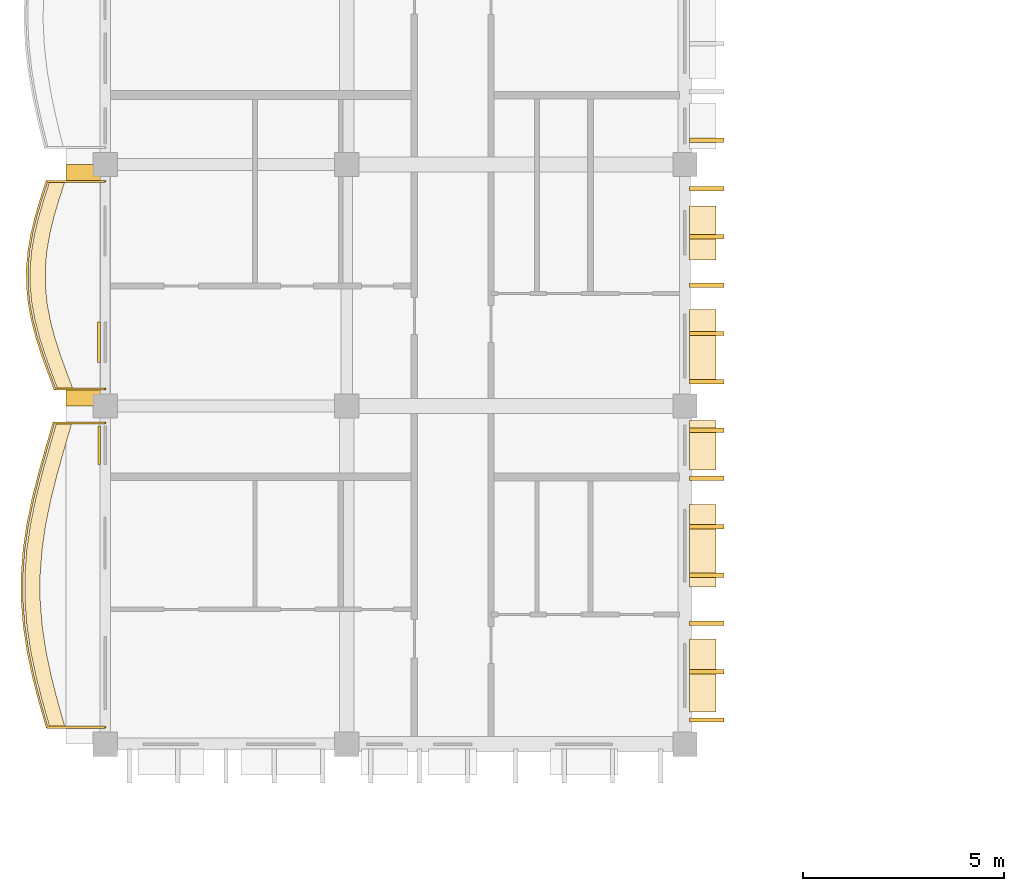
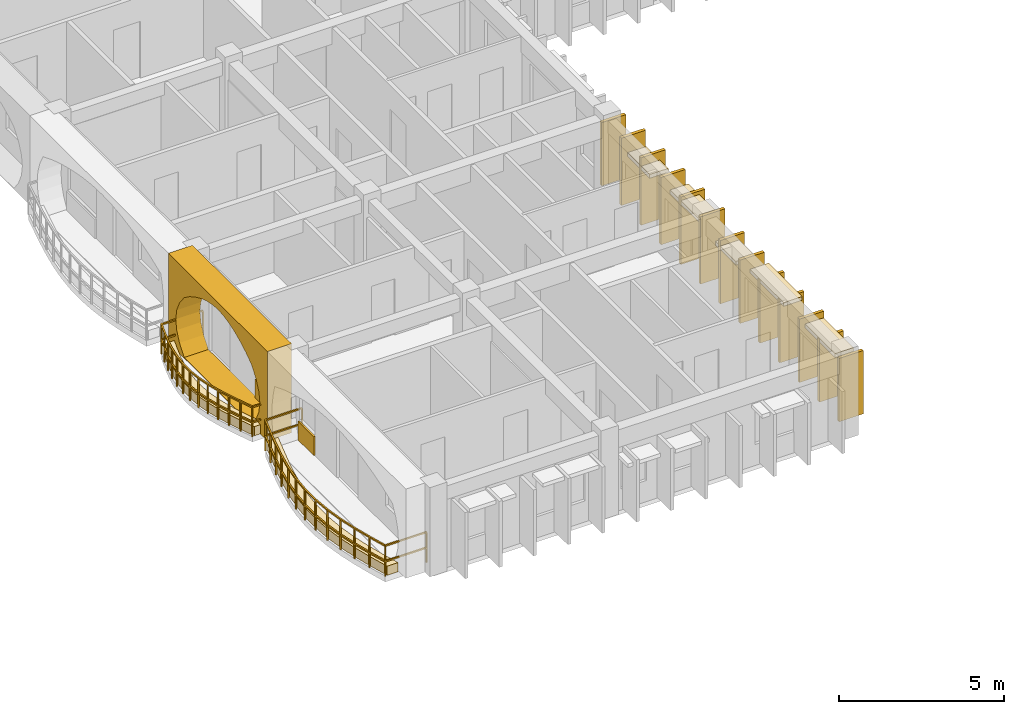
# One storey, part 34 of 45: 23 coverings, 2 railings.
"""IFC4 building model written with IfcOpenShell, lengths in metres."""

from ifc_helpers import new_model, si_unit, direction, frame, origin, origin_2d, place, context, subcontext, project, spatial, polyline, rectangle, outline, extrude, material, layer, layer_set, type_object, element, save


model = new_model("IFC4")

# Units and contexts
model_context = context("Model", 3, precision=1e-05, world=origin(), true_north=direction((0.0, 1.0)))
body_context = subcontext(model_context, "Body", "Model", "MODEL_VIEW")
ifc_project = project(units=[si_unit("LENGTHUNIT", "METRE"), si_unit("AREAUNIT", "SQUARE_METRE"), si_unit("VOLUMEUNIT", "CUBIC_METRE"), si_unit("PLANEANGLEUNIT", "RADIAN"), si_unit("MASSUNIT", "GRAM", prefix="KILO"), si_unit("THERMODYNAMICTEMPERATUREUNIT", "KELVIN")], contexts=[model_context])

# Site, building, storey
site_placement = place(None, origin())
site = spatial("IfcSite", under=ifc_project, at=site_placement, CompositionType="ELEMENT")
building_placement = place(site_placement, origin())
building = spatial("IfcBuilding", under=site, at=building_placement, Name="Thalorik Housing Commons", CompositionType="ELEMENT")
storey_placement = place(building_placement, frame((0.0, 0.0, 34.5)))
storey = spatial("IfcBuildingStorey", under=building, at=storey_placement, Name="L10", CompositionType="ELEMENT", Elevation=34.5)

# Coverings
ifc_material_1 = material(Name="Precast concrete C40/50", Category="concrete")
ifc_layer_1 = layer(ifc_material_1, 0.85009765625, Name="Precast concrete C40/50", Category="concrete")
ifc_layer_set_1 = layer_set([ifc_layer_1], Name="Precast concrete C40/50")
covering_type_1 = type_object("IfcCoveringType", Name="ARC-CLD-CUSH-850", PredefinedType="CLADDING", material=ifc_layer_set_1)
covering_1_placement = place(storey_placement, frame((7.857421875, 97.800048828125, 0.0), z_axis=(0.0, 0.0, 1.0), x_axis=(0.0, -1.0, 0.0)))
element("IfcCovering", 1, at=covering_1_placement, inside=storey, type_object=covering_type_1, Name="L10 White Precast Curved Cushion Bay Frame 1060", PredefinedType="CLADDING", context=body_context, shape_type="SweptSolid", body=[
    extrude(outline(polyline([(-3.0, 0.0), (3.0, 0.0), (3.0, 3.300048828125), (-3.0, 3.300048828125), (-3.0, 0.0)]), holes=[polyline([(2.0400390625, 0.02490234375), (2.3232421875, 0.394287109375), (2.493408203125, 0.76318359375), (2.550048828125, 1.132568359375), (2.493408203125, 1.501708984375), (2.3232421875, 1.870849609375), (2.0400390625, 2.239990234375), (1.699951171875, 2.4833984375), (1.360107421875, 2.6748046875), (1.02001953125, 2.82958984375), (0.679931640625, 2.94482421875), (0.340087890625, 3.01611328125), (0.0, 3.0400390625), (-0.340087890625, 3.01611328125), (-0.679931640625, 2.94482421875), (-1.02001953125, 2.82958984375), (-1.360107421875, 2.6748046875), (-1.699951171875, 2.4833984375), (-2.0400390625, 2.239990234375), (-2.3232421875, 1.870849609375), (-2.493408203125, 1.501708984375), (-2.550048828125, 1.132568359375), (-2.493408203125, 0.76318359375), (-2.3232421875, 0.394287109375), (-2.0400390625, 0.02490234375), (2.0400390625, 0.02490234375)])]), frame((0.0, 0.425048828125, 0.0), z_axis=(0.0, -1.0, 0.0), x_axis=(1.0, 0.0, 0.0)), (0.0, 0.0, 1.0), 0.85009765625),
])
ifc_layer_2 = layer(ifc_material_1, 0.85009765625, Name="Precast concrete C40/50", Category="concrete")
ifc_layer_set_2 = layer_set([ifc_layer_2], Name="Precast concrete C40/50")
covering_type_2 = type_object("IfcCoveringType", Name="ARC-CLD-FIN-850", PredefinedType="CLADDING", material=ifc_layer_set_2)
for number, where, z_axis, x_axis, name in (
    (2, (23.342529296875, 87.0, 0.0400390625), (0.0, 0.0, 1.0), (0.0, 1.0, 0.0), "L10 Courtyard Precast Vertical Brise-Soleil Fin 1081"),
    (3, (23.342529296875, 88.199951171875, 0.0400390625), (0.0, 0.0, 1.0), (0.0, 1.0, 0.0), "L10 Courtyard Precast Vertical Brise-Soleil Fin 1082"),
    (4, (23.342529296875, 89.39990234375, 0.0400390625), (0.0, 0.0, 1.0), (0.0, 1.0, 0.0), "L10 Courtyard Precast Vertical Brise-Soleil Fin 1083"),
    (5, (23.342529296875, 90.60009765625, 0.0400390625), (0.0, 0.0, 1.0), (0.0, 1.0, 0.0), "L10 Courtyard Precast Vertical Brise-Soleil Fin 1084"),
    (6, (23.342529296875, 91.800048828125, 0.0400390625), (0.0, 0.0, 1.0), (0.0, 1.0, 0.0), "L10 Courtyard Precast Vertical Brise-Soleil Fin 1085"),
    (7, (23.342529296875, 93.0, 0.0400390625), (0.0, 0.0, 1.0), (0.0, 1.0, 0.0), "L10 Courtyard Precast Vertical Brise-Soleil Fin 1086"),
    (8, (23.342529296875, 94.199951171875, 0.0400390625), (0.0, 0.0, 1.0), (0.0, 1.0, 0.0), "L10 Courtyard Precast Vertical Brise-Soleil Fin 1087"),
):
    element("IfcCovering", number, at=place(storey_placement, frame(where, z_axis=z_axis, x_axis=x_axis)), inside=storey, type_object=covering_type_2, Name=name, PredefinedType="CLADDING", context=body_context, shape_type="SweptSolid", body=[
        extrude(rectangle(XDim=0.110107421875, YDim=0.85009765625, at=origin_2d()), origin(), (0.0, 0.0, 1.0), 2.344970703125),
    ])
for number, where, z_axis, x_axis, name in (
    (9, (23.342529296875, 95.39990234375, 0.0400390625), (0.0, 0.0, 1.0), (0.0, 1.0, 0.0), "L10 Courtyard Precast Vertical Brise-Soleil Fin 1091"),
    (10, (23.342529296875, 96.60009765625, 0.0400390625), (0.0, 0.0, 1.0), (0.0, 1.0, 0.0), "L10 Courtyard Precast Vertical Brise-Soleil Fin 1092"),
    (11, (23.342529296875, 97.800048828125, 0.0400390625), (0.0, 0.0, 1.0), (0.0, 1.0, 0.0), "L10 Courtyard Precast Vertical Brise-Soleil Fin 1093"),
    (12, (23.342529296875, 99.0, 0.0400390625), (0.0, 0.0, 1.0), (0.0, 1.0, 0.0), "L10 Courtyard Precast Vertical Brise-Soleil Fin 1094"),
    (13, (23.342529296875, 100.199951171875, 0.0400390625), (0.0, 0.0, 1.0), (0.0, 1.0, 0.0), "L10 Courtyard Precast Vertical Brise-Soleil Fin 1095"),
):
    element("IfcCovering", number, at=place(storey_placement, frame(where, z_axis=z_axis, x_axis=x_axis)), inside=storey, type_object=covering_type_2, Name=name, PredefinedType="CLADDING", context=body_context, shape_type="SweptSolid", body=[
        extrude(rectangle(XDim=0.110107421875, YDim=0.85009765625, at=origin_2d()), origin(), (0.0, 0.0, 1.0), 2.4951171875),
    ])
covering_2_placement = place(storey_placement, frame((23.342529296875, 101.39990234375, 0.0400390625), z_axis=(0.0, 0.0, 1.0), x_axis=(0.0, 1.0, 0.0)))
element("IfcCovering", 14, at=covering_2_placement, inside=storey, type_object=covering_type_2, Name="L10 Courtyard Precast Vertical Brise-Soleil Fin 1098", PredefinedType="CLADDING", context=body_context, shape_type="SweptSolid", body=[
    extrude(rectangle(XDim=0.110107421875, YDim=0.85009765625, at=origin_2d()), origin(), (0.0, 0.0, 1.0), 2.344970703125),
])
ifc_layer_3 = layer(ifc_material_1, 0.64990234375, Name="Precast concrete C40/50", Category="concrete")
ifc_layer_set_3 = layer_set([ifc_layer_3], Name="Precast concrete C40/50")
covering_type_3 = type_object("IfcCoveringType", Name="ARC-CLD-HOOD-650", PredefinedType="CLADDING", material=ifc_layer_set_3)
covering_3_placement = place(storey_placement, frame((23.242431640625, 88.104248046875, 2.27001953125), z_axis=(0.0, 0.0, 1.0), x_axis=(0.0, 1.0, 0.0)))
element("IfcCovering", 15, at=covering_3_placement, inside=storey, type_object=covering_type_3, Name="L10 Courtyard Precast Window Sun-Hood 1088", PredefinedType="CLADDING", context=body_context, shape_type="SweptSolid", body=[
    extrude(rectangle(XDim=1.820068359375, YDim=0.64990234375, at=origin_2d()), origin(), (0.0, 0.0, 1.0), 0.139892578125),
])
covering_4_placement = place(storey_placement, frame((23.242431640625, 91.3291015625, 2.27490234375), z_axis=(0.0, 0.0, 1.0), x_axis=(0.0, 1.0, 0.0)))
element("IfcCovering", 16, at=covering_4_placement, inside=storey, type_object=covering_type_3, Name="L10 Courtyard Precast Window Sun-Hood 1089", PredefinedType="CLADDING", context=body_context, shape_type="SweptSolid", body=[
    extrude(rectangle(XDim=2.0400390625, YDim=0.64990234375, at=origin_2d()), origin(), (0.0, 0.0, 1.0), 0.139892578125),
])
covering_5_placement = place(storey_placement, frame((23.242431640625, 93.824951171875, 2.0400390625), z_axis=(0.0, 0.0, 1.0), x_axis=(0.0, 1.0, 0.0)))
element("IfcCovering", 17, at=covering_5_placement, inside=storey, type_object=covering_type_3, Name="L10 Courtyard Precast Window Sun-Hood 1090", PredefinedType="CLADDING", context=body_context, shape_type="SweptSolid", body=[
    extrude(rectangle(XDim=1.239990234375, YDim=0.64990234375, at=origin_2d()), origin(), (0.0, 0.0, 1.0), 0.139892578125),
])
covering_6_placement = place(storey_placement, frame((23.242431640625, 96.290283203125, 2.27001953125), z_axis=(0.0, 0.0, 1.0), x_axis=(0.0, 1.0, 0.0)))
element("IfcCovering", 18, at=covering_6_placement, inside=storey, type_object=covering_type_3, Name="L10 Courtyard Precast Window Sun-Hood 1096", PredefinedType="CLADDING", context=body_context, shape_type="SweptSolid", body=[
    extrude(rectangle(XDim=1.820068359375, YDim=0.64990234375, at=origin_2d()), origin(), (0.0, 0.0, 1.0), 0.139892578125),
])
covering_7_placement = place(storey_placement, frame((23.242431640625, 99.10009765625, 2.08984375), z_axis=(0.0, 0.0, 1.0), x_axis=(0.0, 1.0, 0.0)))
element("IfcCovering", 19, at=covering_7_placement, inside=storey, type_object=covering_type_3, Name="L10 Courtyard Precast Window Sun-Hood 1097", PredefinedType="CLADDING", context=body_context, shape_type="SweptSolid", body=[
    extrude(rectangle(XDim=1.340087890625, YDim=0.64990234375, at=origin_2d()), origin(), (0.0, 0.0, 1.0), 0.139892578125),
])
ifc_material_2 = material(Name="Terracotta red mineral fibre-cement panel", Category="masonry")
ifc_layer_4 = layer(ifc_material_2, 0.054931640625, Name="Terracotta red mineral fibre-cement panel", Category="masonry")
ifc_layer_set_4 = layer_set([ifc_layer_4], Name="Terracotta red mineral fibre-cement panel")
covering_type_4 = type_object("IfcCoveringType", Name="ARC-CLD-RED-55", PredefinedType="CLADDING", material=ifc_layer_set_4)
covering_8_placement = place(storey_placement, frame((8.25, 93.824951171875, 0.0498046875), z_axis=(0.0, 0.0, 1.0), x_axis=(0.0, -1.0, 0.0)))
element("IfcCovering", 20, at=covering_8_placement, inside=storey, type_object=covering_type_4, Name="L10 De Stijl Recessed Window Spandrel 1063", PredefinedType="CLADDING", context=body_context, shape_type="SweptSolid", body=[
    extrude(rectangle(XDim=0.949951171875, YDim=0.054931640625, at=origin_2d()), origin(), (0.0, 0.0, 1.0), 0.699951171875),
])
ifc_material_3 = material(Name="Mineral ochre architectural terracotta panel", Category="masonry")
ifc_layer_5 = layer(ifc_material_3, 0.06494140625, Name="Mineral ochre architectural terracotta panel", Category="masonry")
ifc_layer_set_5 = layer_set([ifc_layer_5], Name="Mineral ochre architectural terracotta panel")
covering_type_5 = type_object("IfcCoveringType", Name="ARC-CLD-YEL-65", PredefinedType="CLADDING", material=ifc_layer_set_5)
covering_9_placement = place(storey_placement, frame((8.2451171875, 96.385009765625, 0.0498046875), z_axis=(0.0, 0.0, 1.0), x_axis=(0.0, -1.0, 0.0)))
element("IfcCovering", 21, at=covering_9_placement, inside=storey, type_object=covering_type_5, Name="L10 De Stijl Recessed Window Spandrel 1061", PredefinedType="CLADDING", context=body_context, shape_type="SweptSolid", body=[
    extrude(rectangle(XDim=1.0, YDim=0.06494140625, at=origin_2d()), origin(), (0.0, 0.0, 1.0), 0.699951171875),
])
ifc_material_4 = material(Name="Planted vegetated substrate and terracotta trough", Category="masonry")
ifc_layer_6 = layer(ifc_material_4, 0.340087890625, Name="Planted vegetated substrate and terracotta trough", Category="masonry")
ifc_layer_set_6 = layer_set([ifc_layer_6], Name="Planted vegetated substrate and terracotta trough")
covering_type_6 = type_object("IfcCoveringType", Name="ARC-COV-PLANTER", PredefinedType="USERDEFINED", material=ifc_layer_set_6)
covering_10_placement = place(storey_placement, origin())
element("IfcCovering", 22, at=covering_10_placement, inside=storey, type_object=covering_type_6, Name="L10 Balcony Slab-Edge Planted Trough 5389", ObjectType="PLANTER", PredefinedType="USERDEFINED", context=body_context, shape_type="SweptSolid", body=[
    extrude(outline(polyline([(7.19140625, 94.3798828125), (7.0087890625, 93.75), (6.831787109375, 93.1201171875), (6.6728515625, 92.489990234375), (6.543212890625, 91.860107421875), (6.45166015625, 91.22998046875), (6.40478515625, 90.60009765625), (6.406005859375, 89.969970703125), (6.455322265625, 89.340087890625), (6.54931640625, 88.7099609375), (6.681884765625, 88.080078125), (6.84375, 87.449951171875), (7.023681640625, 86.820068359375), (7.40380859375, 86.820068359375), (7.2236328125, 87.449951171875), (7.061767578125, 88.080078125), (6.92919921875, 88.7099609375), (6.835205078125, 89.340087890625), (6.785888671875, 89.969970703125), (6.784912109375, 90.60009765625), (6.831787109375, 91.22998046875), (6.923095703125, 91.860107421875), (7.052978515625, 92.489990234375), (7.2119140625, 93.1201171875), (7.388671875, 93.75), (7.571533203125, 94.3798828125), (7.19140625, 94.3798828125)])), origin(), (0.0, 0.0, 1.0), 0.340087890625),
])
covering_11_placement = place(storey_placement, origin())
element("IfcCovering", 23, at=covering_11_placement, inside=storey, type_object=covering_type_6, Name="L10 Balcony Slab-Edge Planted Trough 5390", ObjectType="PLANTER", PredefinedType="USERDEFINED", context=body_context, shape_type="SweptSolid", body=[
    extrude(outline(polyline([(7.021484375, 100.3798828125), (6.880859375, 99.949951171875), (6.75341796875, 99.52001953125), (6.648193359375, 99.090087890625), (6.572998046875, 98.659912109375), (6.5341796875, 98.22998046875), (6.534423828125, 97.800048828125), (6.5751953125, 97.3701171875), (6.65380859375, 96.93994140625), (6.765380859375, 96.510009765625), (6.9033203125, 96.080078125), (7.05810546875, 95.64990234375), (7.2197265625, 95.219970703125), (7.599853515625, 95.219970703125), (7.438232421875, 95.64990234375), (7.283203125, 96.080078125), (7.1455078125, 96.510009765625), (7.03369140625, 96.93994140625), (6.955078125, 97.3701171875), (6.91455078125, 97.800048828125), (6.9140625, 98.22998046875), (6.953125, 98.659912109375), (7.028076171875, 99.090087890625), (7.13330078125, 99.52001953125), (7.260986328125, 99.949951171875), (7.4013671875, 100.3798828125), (7.021484375, 100.3798828125)])), origin(), (0.0, 0.0, 1.0), 0.340087890625),
])

# Railings
ifc_material_5 = material(Name="Steel S355", Category="steel")
railing_type_1 = type_object("IfcRailingType", Name="ARC-RL-BAL-112", PredefinedType="BALUSTRADE", material=ifc_material_5)
railing_1_placement = place(storey_placement, frame((8.39990234375, 100.3798828125, 0.0)))
element("IfcRailing", 24, at=railing_1_placement, inside=storey, type_object=railing_type_1, Name="L10 Cushion Balcony Guardrail 74", PredefinedType="BALUSTRADE", context=body_context, shape_type="SweptSolid", body=[
    extrude(rectangle(XDim=0.050048828125, YDim=0.050048828125, at=origin_2d()), frame((0.0, 0.0, 1.09521484375), z_axis=(-1.0, 0.0, 0.0), x_axis=(0.0, -1.0, 0.0)), (0.0, 0.0, 1.0), 1.448486328125),
    extrude(rectangle(XDim=0.050048828125, YDim=0.050048828125, at=origin_2d()), frame((0.0, 0.0, 0.53515625), z_axis=(-1.0, 0.0, 0.0), x_axis=(0.0, -1.0, 0.0)), (0.0, 0.0, 1.0), 1.448486328125),
    extrude(rectangle(XDim=0.050048828125, YDim=0.050048828125, at=origin_2d()), frame((-1.448486328125, 0.0, 1.09521484375), z_axis=(-0.310879508658, -0.950449331157, 0.0), x_axis=(0.950449331157, -0.310879508658, 0.0)), (0.0, 0.0, 1.0), 0.452392578125),
    extrude(rectangle(XDim=0.050048828125, YDim=0.050048828125, at=origin_2d()), frame((-1.448486328125, 0.0, 0.53515625), z_axis=(-0.310879508658, -0.950449331157, 0.0), x_axis=(0.950449331157, -0.310879508658, 0.0)), (0.0, 0.0, 1.0), 0.452392578125),
    extrude(rectangle(XDim=0.050048828125, YDim=0.050048828125, at=origin_2d()), frame((-1.589111328125, -0.429931640625, 1.09521484375), z_axis=(-0.284199550807, -0.958765151286, 0.0), x_axis=(0.958765151286, -0.284199550807, 0.0)), (0.0, 0.0, 1.0), 0.448486328125),
    extrude(rectangle(XDim=0.050048828125, YDim=0.050048828125, at=origin_2d()), frame((-1.589111328125, -0.429931640625, 0.53515625), z_axis=(-0.284199550807, -0.958765151286, 0.0), x_axis=(0.958765151286, -0.284199550807, 0.0)), (0.0, 0.0, 1.0), 0.448486328125),
    extrude(rectangle(XDim=0.050048828125, YDim=0.050048828125, at=origin_2d()), frame((-1.716552734375, -0.85986328125, 1.09521484375), z_axis=(-0.237730669609, -0.971331111788, 0.0), x_axis=(0.971331111788, -0.237730669609, 0.0)), (0.0, 0.0, 1.0), 0.442626953125),
    extrude(rectangle(XDim=0.050048828125, YDim=0.050048828125, at=origin_2d()), frame((-1.716552734375, -0.85986328125, 0.53515625), z_axis=(-0.237730669609, -0.971331111788, 0.0), x_axis=(0.971331111788, -0.237730669609, 0.0)), (0.0, 0.0, 1.0), 0.442626953125),
    extrude(rectangle(XDim=0.050048828125, YDim=0.050048828125, at=origin_2d()), frame((-1.82177734375, -1.289794921875, 1.09521484375), z_axis=(-0.171647909566, -0.985158360438, 0.0), x_axis=(0.985158360438, -0.171647909566, 0.0)), (0.0, 0.0, 1.0), 0.436767578125),
    extrude(rectangle(XDim=0.050048828125, YDim=0.050048828125, at=origin_2d()), frame((-1.82177734375, -1.289794921875, 0.53515625), z_axis=(-0.171647909566, -0.985158360438, 0.0), x_axis=(0.985158360438, -0.171647909566, 0.0)), (0.0, 0.0, 1.0), 0.436767578125),
    extrude(rectangle(XDim=0.050048828125, YDim=0.050048828125, at=origin_2d()), frame((-1.896728515625, -1.719970703125, 1.09521484375), z_axis=(-0.090484755539, -0.995897840652, 0.0), x_axis=(0.995897840652, -0.090484755539, 0.0)), (0.0, 0.0, 1.0), 0.431640625),
    extrude(rectangle(XDim=0.050048828125, YDim=0.050048828125, at=origin_2d()), frame((-1.896728515625, -1.719970703125, 0.53515625), z_axis=(-0.090484755539, -0.995897840652, 0.0), x_axis=(0.995897840652, -0.090484755539, 0.0)), (0.0, 0.0, 1.0), 0.431640625),
    extrude(rectangle(XDim=0.050048828125, YDim=0.050048828125, at=origin_2d()), frame((-1.935791015625, -2.14990234375, 1.09521484375), z_axis=(0.001135717609, -0.999999355073, 0.0), x_axis=(0.999999355073, 0.001135717609, 0.0)), (0.0, 0.0, 1.0), 0.429931640625),
    extrude(rectangle(XDim=0.050048828125, YDim=0.050048828125, at=origin_2d()), frame((-1.935791015625, -2.14990234375, 0.53515625), z_axis=(0.001135717609, -0.999999355073, 0.0), x_axis=(0.999999355073, 0.001135717609, 0.0)), (0.0, 0.0, 1.0), 0.429931640625),
    extrude(rectangle(XDim=0.050048828125, YDim=0.050048828125, at=origin_2d()), frame((-1.935302734375, -2.579833984375, 1.09521484375), z_axis=(0.093848583775, -0.995586482092, 0.0), x_axis=(0.995586482092, 0.093848583775, 0.0)), (0.0, 0.0, 1.0), 0.431884765625),
    extrude(rectangle(XDim=0.050048828125, YDim=0.050048828125, at=origin_2d()), frame((-1.935302734375, -2.579833984375, 0.53515625), z_axis=(0.093848583775, -0.995586482092, 0.0), x_axis=(0.995586482092, 0.093848583775, 0.0)), (0.0, 0.0, 1.0), 0.431884765625),
    extrude(rectangle(XDim=0.050048828125, YDim=0.050048828125, at=origin_2d()), frame((-1.894775390625, -3.009765625, 1.09521484375), z_axis=(0.179769698868, -0.983708724862, 0.0), x_axis=(0.983708724862, 0.179769698868, 0.0)), (0.0, 0.0, 1.0), 0.437255859375),
    extrude(rectangle(XDim=0.050048828125, YDim=0.050048828125, at=origin_2d()), frame((-1.894775390625, -3.009765625, 0.53515625), z_axis=(0.179769698868, -0.983708724862, 0.0), x_axis=(0.983708724862, 0.179769698868, 0.0)), (0.0, 0.0, 1.0), 0.437255859375),
    extrude(rectangle(XDim=0.050048828125, YDim=0.050048828125, at=origin_2d()), frame((-1.816162109375, -3.43994140625, 1.09521484375), z_axis=(0.251191055768, -0.967937525619, 0.0), x_axis=(0.967937525619, 0.251191055768, 0.0)), (0.0, 0.0, 1.0), 0.444091796875),
    extrude(rectangle(XDim=0.050048828125, YDim=0.050048828125, at=origin_2d()), frame((-1.816162109375, -3.43994140625, 0.53515625), z_axis=(0.251191055768, -0.967937525619, 0.0), x_axis=(0.967937525619, 0.251191055768, 0.0)), (0.0, 0.0, 1.0), 0.444091796875),
    extrude(rectangle(XDim=0.050048828125, YDim=0.050048828125, at=origin_2d()), frame((-1.70458984375, -3.869873046875, 1.09521484375), z_axis=(0.305501556453, -0.95219157684, 0.0), x_axis=(0.95219157684, 0.305501556453, 0.0)), (0.0, 0.0, 1.0), 0.451416015625),
    extrude(rectangle(XDim=0.050048828125, YDim=0.050048828125, at=origin_2d()), frame((-1.70458984375, -3.869873046875, 0.53515625), z_axis=(0.305501556453, -0.95219157684, 0.0), x_axis=(0.95219157684, 0.305501556453, 0.0)), (0.0, 0.0, 1.0), 0.451416015625),
    extrude(rectangle(XDim=0.050048828125, YDim=0.050048828125, at=origin_2d()), frame((-1.566650390625, -4.2998046875, 1.09521484375), z_axis=(0.339040860849, -0.940771648528, 0.0), x_axis=(0.940771648528, 0.339040860849, 0.0)), (0.0, 0.0, 1.0), 0.457275390625),
    extrude(rectangle(XDim=0.050048828125, YDim=0.050048828125, at=origin_2d()), frame((-1.566650390625, -4.2998046875, 0.53515625), z_axis=(0.339040860849, -0.940771648528, 0.0), x_axis=(0.940771648528, 0.339040860849, 0.0)), (0.0, 0.0, 1.0), 0.457275390625),
    extrude(rectangle(XDim=0.050048828125, YDim=0.050048828125, at=origin_2d()), frame((-1.41162109375, -4.72998046875, 1.09521484375), z_axis=(0.351880591613, -0.936044897025, 0.0), x_axis=(0.936044897025, 0.351880591613, 0.0)), (0.0, 0.0, 1.0), 0.459228515625),
    extrude(rectangle(XDim=0.050048828125, YDim=0.050048828125, at=origin_2d()), frame((-1.41162109375, -4.72998046875, 0.53515625), z_axis=(0.351880591613, -0.936044897025, 0.0), x_axis=(0.936044897025, 0.351880591613, 0.0)), (0.0, 0.0, 1.0), 0.459228515625),
    extrude(rectangle(XDim=0.050048828125, YDim=0.050048828125, at=origin_2d()), frame((-1.25, -5.159912109375, 1.09521484375), z_axis=(1.0, 0.0, 0.0), x_axis=(0.0, 1.0, 0.0)), (0.0, 0.0, 1.0), 1.25),
    extrude(rectangle(XDim=0.050048828125, YDim=0.050048828125, at=origin_2d()), frame((-1.25, -5.159912109375, 0.53515625), z_axis=(1.0, 0.0, 0.0), x_axis=(0.0, 1.0, 0.0)), (0.0, 0.0, 1.0), 1.25),
    extrude(rectangle(XDim=0.0419921875, YDim=0.0419921875, at=origin_2d()), origin(), (0.0, 0.0, 1.0), 1.070068359375),
    extrude(rectangle(XDim=0.0419921875, YDim=0.0419921875, at=origin_2d()), frame((-1.448486328125, 0.0, 0.0)), (0.0, 0.0, 1.0), 1.070068359375),
    extrude(rectangle(XDim=0.0419921875, YDim=0.0419921875, at=origin_2d()), frame((-1.589111328125, -0.429931640625, 0.0)), (0.0, 0.0, 1.0), 1.070068359375),
    extrude(rectangle(XDim=0.0419921875, YDim=0.0419921875, at=origin_2d()), frame((-1.716552734375, -0.85986328125, 0.0)), (0.0, 0.0, 1.0), 1.070068359375),
    extrude(rectangle(XDim=0.0419921875, YDim=0.0419921875, at=origin_2d()), frame((-1.82177734375, -1.289794921875, 0.0)), (0.0, 0.0, 1.0), 1.070068359375),
    extrude(rectangle(XDim=0.0419921875, YDim=0.0419921875, at=origin_2d()), frame((-1.896728515625, -1.719970703125, 0.0)), (0.0, 0.0, 1.0), 1.070068359375),
    extrude(rectangle(XDim=0.0419921875, YDim=0.0419921875, at=origin_2d()), frame((-1.935791015625, -2.14990234375, 0.0)), (0.0, 0.0, 1.0), 1.070068359375),
    extrude(rectangle(XDim=0.0419921875, YDim=0.0419921875, at=origin_2d()), frame((-1.935302734375, -2.579833984375, 0.0)), (0.0, 0.0, 1.0), 1.070068359375),
    extrude(rectangle(XDim=0.0419921875, YDim=0.0419921875, at=origin_2d()), frame((-1.894775390625, -3.009765625, 0.0)), (0.0, 0.0, 1.0), 1.070068359375),
    extrude(rectangle(XDim=0.0419921875, YDim=0.0419921875, at=origin_2d()), frame((-1.816162109375, -3.43994140625, 0.0)), (0.0, 0.0, 1.0), 1.070068359375),
    extrude(rectangle(XDim=0.0419921875, YDim=0.0419921875, at=origin_2d()), frame((-1.70458984375, -3.869873046875, 0.0)), (0.0, 0.0, 1.0), 1.070068359375),
    extrude(rectangle(XDim=0.0419921875, YDim=0.0419921875, at=origin_2d()), frame((-1.566650390625, -4.2998046875, 0.0)), (0.0, 0.0, 1.0), 1.070068359375),
    extrude(rectangle(XDim=0.0419921875, YDim=0.0419921875, at=origin_2d()), frame((-1.41162109375, -4.72998046875, 0.0)), (0.0, 0.0, 1.0), 1.070068359375),
    extrude(rectangle(XDim=0.0419921875, YDim=0.0419921875, at=origin_2d()), frame((-1.25, -5.159912109375, 0.0)), (0.0, 0.0, 1.0), 1.070068359375),
    extrude(rectangle(XDim=0.0419921875, YDim=0.0419921875, at=origin_2d()), frame((0.0, -5.159912109375, 0.0)), (0.0, 0.0, 1.0), 1.070068359375),
])
railing_type_2 = type_object("IfcRailingType", Name="ARC-RL-BAL-115", PredefinedType="BALUSTRADE", material=ifc_material_5)
railing_2_placement = place(storey_placement, frame((8.39990234375, 94.3798828125, 0.0)))
element("IfcRailing", 25, at=railing_2_placement, inside=storey, type_object=railing_type_2, Name="L10 Cushion Balcony Guardrail 73", PredefinedType="BALUSTRADE", context=body_context, shape_type="SweptSolid", body=[
    extrude(rectangle(XDim=0.050048828125, YDim=0.050048828125, at=origin_2d()), frame((0.0, 0.0, 1.125), z_axis=(-1.0, 0.0, 0.0), x_axis=(0.0, -1.0, 0.0)), (0.0, 0.0, 1.0), 1.2783203125),
    extrude(rectangle(XDim=0.050048828125, YDim=0.050048828125, at=origin_2d()), frame((0.0, 0.0, 0.5498046875), z_axis=(-1.0, 0.0, 0.0), x_axis=(0.0, -1.0, 0.0)), (0.0, 0.0, 1.0), 1.2783203125),
    extrude(rectangle(XDim=0.050048828125, YDim=0.050048828125, at=origin_2d()), frame((-1.2783203125, 0.0, 1.125), z_axis=(-0.27879912087, -0.960349441715, 0.0), x_axis=(0.960349441715, -0.27879912087, 0.0)), (0.0, 0.0, 1.0), 0.656005859375),
    extrude(rectangle(XDim=0.050048828125, YDim=0.050048828125, at=origin_2d()), frame((-1.2783203125, 0.0, 0.5498046875), z_axis=(-0.27879912087, -0.960349441715, 0.0), x_axis=(0.960349441715, -0.27879912087, 0.0)), (0.0, 0.0, 1.0), 0.656005859375),
    extrude(rectangle(XDim=0.050048828125, YDim=0.050048828125, at=origin_2d()), frame((-1.461181640625, -0.6298828125, 1.125), z_axis=(-0.270529450453, -0.962711699543, 0.0), x_axis=(0.962711699543, -0.270529450453, 0.0)), (0.0, 0.0, 1.0), 0.654296875),
    extrude(rectangle(XDim=0.050048828125, YDim=0.050048828125, at=origin_2d()), frame((-1.461181640625, -0.6298828125, 0.5498046875), z_axis=(-0.270529450453, -0.962711699543, 0.0), x_axis=(0.962711699543, -0.270529450453, 0.0)), (0.0, 0.0, 1.0), 0.654296875),
    extrude(rectangle(XDim=0.050048828125, YDim=0.050048828125, at=origin_2d()), frame((-1.63818359375, -1.259765625, 1.125), z_axis=(-0.244568188441, -0.969632095799, 0.0), x_axis=(0.969632095799, -0.244568188441, 0.0)), (0.0, 0.0, 1.0), 0.64990234375),
    extrude(rectangle(XDim=0.050048828125, YDim=0.050048828125, at=origin_2d()), frame((-1.63818359375, -1.259765625, 0.5498046875), z_axis=(-0.244568188441, -0.969632095799, 0.0), x_axis=(0.969632095799, -0.244568188441, 0.0)), (0.0, 0.0, 1.0), 0.64990234375),
    extrude(rectangle(XDim=0.050048828125, YDim=0.050048828125, at=origin_2d()), frame((-1.797119140625, -1.889892578125, 1.125), z_axis=(-0.201588649293, -0.979470273401, 0.0), x_axis=(0.979470273401, -0.201588649293, 0.0)), (0.0, 0.0, 1.0), 0.64306640625),
    extrude(rectangle(XDim=0.050048828125, YDim=0.050048828125, at=origin_2d()), frame((-1.797119140625, -1.889892578125, 0.5498046875), z_axis=(-0.201588649293, -0.979470273401, 0.0), x_axis=(0.979470273401, -0.201588649293, 0.0)), (0.0, 0.0, 1.0), 0.64306640625),
    extrude(rectangle(XDim=0.050048828125, YDim=0.050048828125, at=origin_2d()), frame((-1.9267578125, -2.519775390625, 1.125), z_axis=(-0.143782826291, -0.989609265753, 0.0), x_axis=(0.989609265753, -0.143782826291, 0.0)), (0.0, 0.0, 1.0), 0.63671875),
    extrude(rectangle(XDim=0.050048828125, YDim=0.050048828125, at=origin_2d()), frame((-1.9267578125, -2.519775390625, 0.5498046875), z_axis=(-0.143782826291, -0.989609265753, 0.0), x_axis=(0.989609265753, -0.143782826291, 0.0)), (0.0, 0.0, 1.0), 0.63671875),
    extrude(rectangle(XDim=0.050048828125, YDim=0.050048828125, at=origin_2d()), frame((-2.018310546875, -3.14990234375, 1.125), z_axis=(-0.07382897103, -0.997270917573, 0.0), x_axis=(0.997270917573, -0.07382897103, 0.0)), (0.0, 0.0, 1.0), 0.631591796875),
    extrude(rectangle(XDim=0.050048828125, YDim=0.050048828125, at=origin_2d()), frame((-2.018310546875, -3.14990234375, 0.5498046875), z_axis=(-0.07382897103, -0.997270917573, 0.0), x_axis=(0.997270917573, -0.07382897103, 0.0)), (0.0, 0.0, 1.0), 0.631591796875),
    extrude(rectangle(XDim=0.050048828125, YDim=0.050048828125, at=origin_2d()), frame((-2.06494140625, -3.77978515625, 1.125), z_axis=(0.001549785043, -0.999998799082, 0.0), x_axis=(0.999998799082, 0.001549785043, 0.0)), (0.0, 0.0, 1.0), 0.630126953125),
    extrude(rectangle(XDim=0.050048828125, YDim=0.050048828125, at=origin_2d()), frame((-2.06494140625, -3.77978515625, 0.5498046875), z_axis=(0.001549785043, -0.999998799082, 0.0), x_axis=(0.999998799082, 0.001549785043, 0.0)), (0.0, 0.0, 1.0), 0.630126953125),
    extrude(rectangle(XDim=0.050048828125, YDim=0.050048828125, at=origin_2d()), frame((-2.06396484375, -4.409912109375, 1.125), z_axis=(0.078055696883, -0.996948999791, 0.0), x_axis=(0.996948999791, 0.078055696883, 0.0)), (0.0, 0.0, 1.0), 0.6318359375),
    extrude(rectangle(XDim=0.050048828125, YDim=0.050048828125, at=origin_2d()), frame((-2.06396484375, -4.409912109375, 0.5498046875), z_axis=(0.078055696883, -0.996948999791, 0.0), x_axis=(0.996948999791, 0.078055696883, 0.0)), (0.0, 0.0, 1.0), 0.6318359375),
    extrude(rectangle(XDim=0.050048828125, YDim=0.050048828125, at=origin_2d()), frame((-2.0146484375, -5.039794921875, 1.125), z_axis=(0.147534638669, -0.989056889361, 0.0), x_axis=(0.989056889361, 0.147534638669, 0.0)), (0.0, 0.0, 1.0), 0.63720703125),
    extrude(rectangle(XDim=0.050048828125, YDim=0.050048828125, at=origin_2d()), frame((-2.0146484375, -5.039794921875, 0.5498046875), z_axis=(0.147534638669, -0.989056889361, 0.0), x_axis=(0.989056889361, 0.147534638669, 0.0)), (0.0, 0.0, 1.0), 0.63720703125),
    extrude(rectangle(XDim=0.050048828125, YDim=0.050048828125, at=origin_2d()), frame((-1.920654296875, -5.669921875, 1.125), z_axis=(0.205953134834, -0.978561856119, 0.0), x_axis=(0.978561856119, 0.205953134834, 0.0)), (0.0, 0.0, 1.0), 0.643798828125),
    extrude(rectangle(XDim=0.050048828125, YDim=0.050048828125, at=origin_2d()), frame((-1.920654296875, -5.669921875, 0.5498046875), z_axis=(0.205953134834, -0.978561856119, 0.0), x_axis=(0.978561856119, 0.205953134834, 0.0)), (0.0, 0.0, 1.0), 0.643798828125),
    extrude(rectangle(XDim=0.050048828125, YDim=0.050048828125, at=origin_2d()), frame((-1.7880859375, -6.2998046875, 1.125), z_axis=(0.248799668142, -0.968554967533, 0.0), x_axis=(0.968554967533, 0.248799668142, 0.0)), (0.0, 0.0, 1.0), 0.650634765625),
    extrude(rectangle(XDim=0.050048828125, YDim=0.050048828125, at=origin_2d()), frame((-1.7880859375, -6.2998046875, 0.5498046875), z_axis=(0.248799668142, -0.968554967533, 0.0), x_axis=(0.968554967533, 0.248799668142, 0.0)), (0.0, 0.0, 1.0), 0.650634765625),
    extrude(rectangle(XDim=0.050048828125, YDim=0.050048828125, at=origin_2d()), frame((-1.626220703125, -6.929931640625, 1.125), z_axis=(0.274671904442, -0.961538010122, 0.0), x_axis=(0.961538010122, 0.274671904442, 0.0)), (0.0, 0.0, 1.0), 0.655029296875),
    extrude(rectangle(XDim=0.050048828125, YDim=0.050048828125, at=origin_2d()), frame((-1.626220703125, -6.929931640625, 0.5498046875), z_axis=(0.274671904442, -0.961538010122, 0.0), x_axis=(0.961538010122, 0.274671904442, 0.0)), (0.0, 0.0, 1.0), 0.655029296875),
    extrude(rectangle(XDim=0.050048828125, YDim=0.050048828125, at=origin_2d()), frame((-1.4462890625, -7.559814453125, 1.125), z_axis=(1.0, 0.0, 0.0), x_axis=(0.0, 1.0, 0.0)), (0.0, 0.0, 1.0), 1.4462890625),
    extrude(rectangle(XDim=0.050048828125, YDim=0.050048828125, at=origin_2d()), frame((-1.4462890625, -7.559814453125, 0.5498046875), z_axis=(1.0, 0.0, 0.0), x_axis=(0.0, 1.0, 0.0)), (0.0, 0.0, 1.0), 1.4462890625),
    extrude(rectangle(XDim=0.0419921875, YDim=0.0419921875, at=origin_2d()), origin(), (0.0, 0.0, 1.0), 1.099853515625),
    extrude(rectangle(XDim=0.0419921875, YDim=0.0419921875, at=origin_2d()), frame((-1.2783203125, 0.0, 0.0)), (0.0, 0.0, 1.0), 1.099853515625),
    extrude(rectangle(XDim=0.0419921875, YDim=0.0419921875, at=origin_2d()), frame((-1.461181640625, -0.6298828125, 0.0)), (0.0, 0.0, 1.0), 1.099853515625),
    extrude(rectangle(XDim=0.0419921875, YDim=0.0419921875, at=origin_2d()), frame((-1.63818359375, -1.259765625, 0.0)), (0.0, 0.0, 1.0), 1.099853515625),
    extrude(rectangle(XDim=0.0419921875, YDim=0.0419921875, at=origin_2d()), frame((-1.797119140625, -1.889892578125, 0.0)), (0.0, 0.0, 1.0), 1.099853515625),
    extrude(rectangle(XDim=0.0419921875, YDim=0.0419921875, at=origin_2d()), frame((-1.9267578125, -2.519775390625, 0.0)), (0.0, 0.0, 1.0), 1.099853515625),
    extrude(rectangle(XDim=0.0419921875, YDim=0.0419921875, at=origin_2d()), frame((-2.018310546875, -3.14990234375, 0.0)), (0.0, 0.0, 1.0), 1.099853515625),
    extrude(rectangle(XDim=0.0419921875, YDim=0.0419921875, at=origin_2d()), frame((-2.06494140625, -3.77978515625, 0.0)), (0.0, 0.0, 1.0), 1.099853515625),
    extrude(rectangle(XDim=0.0419921875, YDim=0.0419921875, at=origin_2d()), frame((-2.06396484375, -4.409912109375, 0.0)), (0.0, 0.0, 1.0), 1.099853515625),
    extrude(rectangle(XDim=0.0419921875, YDim=0.0419921875, at=origin_2d()), frame((-2.0146484375, -5.039794921875, 0.0)), (0.0, 0.0, 1.0), 1.099853515625),
    extrude(rectangle(XDim=0.0419921875, YDim=0.0419921875, at=origin_2d()), frame((-1.920654296875, -5.669921875, 0.0)), (0.0, 0.0, 1.0), 1.099853515625),
    extrude(rectangle(XDim=0.0419921875, YDim=0.0419921875, at=origin_2d()), frame((-1.7880859375, -6.2998046875, 0.0)), (0.0, 0.0, 1.0), 1.099853515625),
    extrude(rectangle(XDim=0.0419921875, YDim=0.0419921875, at=origin_2d()), frame((-1.626220703125, -6.929931640625, 0.0)), (0.0, 0.0, 1.0), 1.099853515625),
    extrude(rectangle(XDim=0.0419921875, YDim=0.0419921875, at=origin_2d()), frame((-1.4462890625, -7.559814453125, 0.0)), (0.0, 0.0, 1.0), 1.099853515625),
    extrude(rectangle(XDim=0.0419921875, YDim=0.0419921875, at=origin_2d()), frame((0.0, -7.559814453125, 0.0)), (0.0, 0.0, 1.0), 1.099853515625),
])

save(model, "model.ifc")
